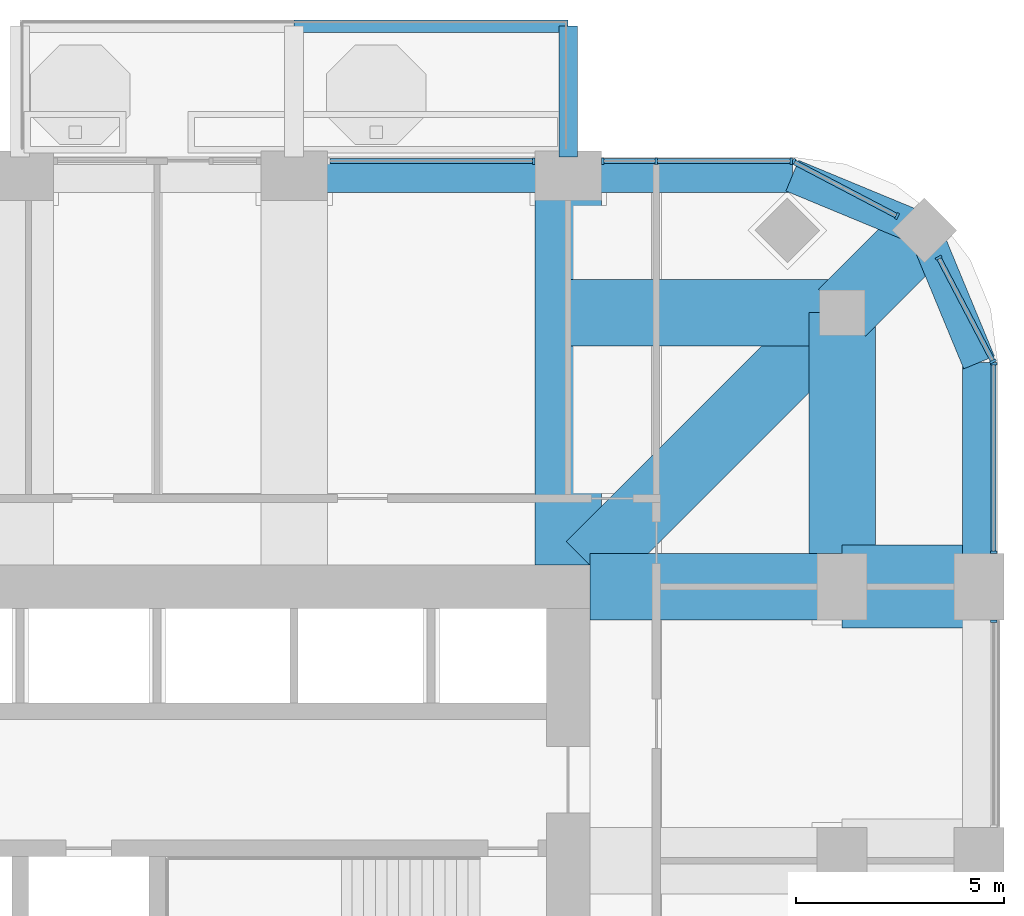
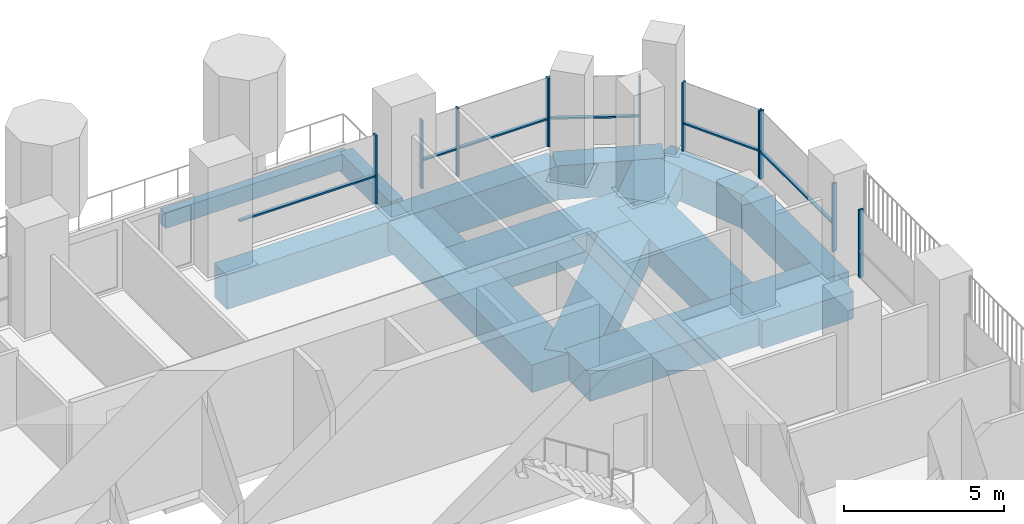
# One storey, part 7 of 20: 17 members, 14 beams, 6 elements without a shape of their own.
"""IFC4 building model written with IfcOpenShell, lengths in metres."""

from ifc_helpers import new_model, si_unit, direction, frame, origin, origin_2d, place, context, subcontext, project, spatial, rectangle, extrude, material, material_profile, profile_set, type_object, element, aggregate, save


model = new_model("IFC4")

# Units and contexts
model_context = context("Model", 3, precision=1e-05, world=origin(), true_north=direction((0.0, 1.0)))
body_context = subcontext(model_context, "Body", "Model", "MODEL_VIEW")
ifc_project = project(units=[si_unit("LENGTHUNIT", "METRE"), si_unit("AREAUNIT", "SQUARE_METRE"), si_unit("VOLUMEUNIT", "CUBIC_METRE"), si_unit("PLANEANGLEUNIT", "RADIAN"), si_unit("MASSUNIT", "GRAM", prefix="KILO")], contexts=[model_context])

# Site, building, storey
site_placement = place(None, origin())
site = spatial("IfcSite", under=ifc_project, at=site_placement, CompositionType="ELEMENT")
building_placement = place(site_placement, origin())
building = spatial("IfcBuilding", under=site, at=building_placement, Name="Cobogo Forest Laboratory Tower", CompositionType="ELEMENT")
storey_placement = place(building_placement, frame((0.0, 0.0, 214.5)))
storey = spatial("IfcBuildingStorey", under=building, at=storey_placement, Name="L49", CompositionType="ELEMENT", Elevation=214.5)

# Beams
ifc_material_1 = material(Name="Concrete HA-40 (C40/50)", Category="concrete")
ifc_material_profile_1 = material_profile(ifc_material_1, rectangle(XDim=0.449951171875, YDim=0.75, at=origin_2d()), Name="RC 450x750")
ifc_profile_set_1 = profile_set([ifc_material_profile_1], Name="Concrete HA-40 (C40/50)")
beam_type_1 = type_object("IfcBeamType", Name="Balcony cantilever beam 450x750", PredefinedType="BEAM", material=ifc_profile_set_1)
beam_1_placement = place(storey_placement, frame((39.60009765625, 43.35009765625, -0.625), z_axis=(0.0, 1.0, 0.0), x_axis=(-1.0, 0.0, 0.0)))
element("IfcBeam", 1, at=beam_1_placement, inside=storey, type_object=beam_type_1, Name="CB1 BAL-N1-C3 L49", PredefinedType="BEAM", context=body_context, shape_type="SweptSolid", body=[
    extrude(rectangle(XDim=0.449951171875, YDim=0.75, at=origin_2d()), origin(), (0.0, 0.0, 1.0), 3.14990234375),
])
ifc_material_profile_2 = material_profile(ifc_material_1, rectangle(XDim=0.300048828125, YDim=0.60009765625, at=origin_2d()), Name="RC 300x600")
ifc_profile_set_2 = profile_set([ifc_material_profile_2], Name="Concrete HA-40 (C40/50)")
beam_type_2 = type_object("IfcBeamType", Name="Balcony edge beam 300x600", PredefinedType="BEAM", material=ifc_profile_set_2)
beam_2_placement = place(storey_placement, frame((33.0, 46.5, -0.550048828125), z_axis=(1.0, 0.0, 0.0), x_axis=(0.0, 1.0, 0.0)))
element("IfcBeam", 2, at=beam_2_placement, inside=storey, type_object=beam_type_2, Name="BB1 BAL-N1-T2 L49", PredefinedType="BEAM", context=body_context, shape_type="SweptSolid", body=[
    extrude(rectangle(XDim=0.300048828125, YDim=0.60009765625, at=origin_2d()), origin(), (0.0, 0.0, 1.0), 6.60009765625),
])
ifc_material_2 = material(Name="Concrete HA-50 (C50/60)", Category="concrete")
ifc_material_profile_3 = material_profile(ifc_material_2, rectangle(XDim=2.0, YDim=1.050048828125, at=origin_2d()), Name="RC 2000x1050")
ifc_profile_set_3 = profile_set([ifc_material_profile_3], Name="Concrete HA-50 (C50/60)")
beam_type_3 = type_object("IfcBeamType", Name="End-bay wide beam 2000x1050", PredefinedType="BEAM", material=ifc_profile_set_3)
beam_3_placement = place(storey_placement, frame((49.5, 33.0, -0.824951171875), z_axis=(-1.0, 0.0, 0.0), x_axis=(0.0, -1.0, 0.0)))
element("IfcBeam", 3, at=beam_3_placement, inside=storey, type_object=beam_type_3, Name="RB7 R-F-E-X L49", PredefinedType="BEAM", context=body_context, shape_type="SweptSolid", body=[
    extrude(rectangle(XDim=2.0, YDim=1.050048828125, at=origin_2d()), origin(), (0.0, 0.0, 1.0), 3.300048828125),
])
ifc_material_profile_4 = material_profile(ifc_material_2, rectangle(XDim=1.60009765625, YDim=1.050048828125, at=origin_2d()), Name="RC 1600x1050")
ifc_profile_set_4 = profile_set([ifc_material_profile_4], Name="Concrete HA-50 (C50/60)")
beam_type_4 = type_object("IfcBeamType", Name="Laboratory floor wide beam 1600x1050", PredefinedType="BEAM", material=ifc_profile_set_4)
beam_4_placement = place(storey_placement, frame((39.60009765625, 33.52490234375, -0.824951171875), z_axis=(0.0, 1.0, 0.0), x_axis=(-1.0, 0.0, 0.0)))
element("IfcBeam", 4, at=beam_4_placement, inside=storey, type_object=beam_type_4, Name="RB8 R-7-N L49", PredefinedType="BEAM", context=body_context, shape_type="SweptSolid", body=[
    extrude(rectangle(XDim=1.60009765625, YDim=1.050048828125, at=origin_2d()), origin(), (0.0, 0.0, 1.0), 9.375),
])
beam_5_placement = place(storey_placement, frame((40.125, 33.0, -0.824951171875), z_axis=(1.0, 0.0, 0.0), x_axis=(0.0, 1.0, 0.0)))
element("IfcBeam", 5, at=beam_5_placement, inside=storey, type_object=beam_type_4, Name="RB8 R-F-E L49", PredefinedType="BEAM", context=body_context, shape_type="SweptSolid", body=[
    extrude(rectangle(XDim=1.60009765625, YDim=1.050048828125, at=origin_2d()), origin(), (0.0, 0.0, 1.0), 6.074951171875),
])
beam_6_placement = place(storey_placement, frame((46.199951171875, 39.60009765625, -0.824951171875), z_axis=(0.0, -1.0, 0.0), x_axis=(1.0, 0.0, 0.0)))
element("IfcBeam", 6, at=beam_6_placement, inside=storey, type_object=beam_type_4, Name="RB8 G-NE-XC L49", PredefinedType="BEAM", context=body_context, shape_type="SweptSolid", body=[
    extrude(rectangle(XDim=1.60009765625, YDim=1.050048828125, at=origin_2d()), origin(), (0.0, 0.0, 1.0), 6.60009765625),
])
beam_7_placement = place(storey_placement, frame((46.199951171875, 39.60009765625, -0.824951171875), z_axis=(-1.0, 0.0, 0.0), x_axis=(0.0, -1.0, 0.0)))
element("IfcBeam", 7, at=beam_7_placement, inside=storey, type_object=beam_type_4, Name="RB8 G-NE-YC L49", PredefinedType="BEAM", context=body_context, shape_type="SweptSolid", body=[
    extrude(rectangle(XDim=1.60009765625, YDim=1.050048828125, at=origin_2d()), origin(), (0.0, 0.0, 1.0), 6.599853515625),
])
beam_8_placement = place(storey_placement, frame((48.181884765625, 41.58203125, -0.824951171875), z_axis=(-0.707106781187, -0.707106781187, 0.0), x_axis=(0.707106781187, -0.707106781187, 0.0)))
element("IfcBeam", 8, at=beam_8_placement, inside=storey, type_object=beam_type_4, Name="RB8 G-NE-D1 L49", PredefinedType="BEAM", context=body_context, shape_type="SweptSolid", body=[
    extrude(rectangle(XDim=1.60009765625, YDim=1.050048828125, at=origin_2d()), origin(), (0.0, 0.0, 1.0), 2.802978515625),
])
beam_9_placement = place(storey_placement, frame((46.199951171875, 39.60009765625, -0.824951171875), z_axis=(-0.707092572697, -0.70712098939, 0.0), x_axis=(0.70712098939, -0.707092572697, 0.0)))
element("IfcBeam", 9, at=beam_9_placement, inside=storey, type_object=beam_type_4, Name="RB8 G-NE-D2 L49", PredefinedType="BEAM", context=body_context, shape_type="SweptSolid", body=[
    extrude(rectangle(XDim=1.60009765625, YDim=1.050048828125, at=origin_2d()), origin(), (0.0, 0.0, 1.0), 8.591552734375),
])

# Curtain wall, member
ifc_material_3 = material(Name="Aluminium curtain wall", Category="aluminium")
curtain_wall_type = type_object("IfcCurtainWallType", Name="CW-2 unitised curtain wall, solar control glazing, laboratory floors zones C and D", PredefinedType="USERDEFINED", material=ifc_material_3)
curtain_wall_1_placement = place(storey_placement, origin())
curtain_wall_1 = element("IfcCurtainWall", 10, at=curtain_wall_1_placement, inside=storey, type_object=curtain_wall_type, Name="Curtain wall 12 L49", ObjectType="UNITISED CURTAIN WALL", PredefinedType="USERDEFINED")
ifc_material_4 = material(Name="Aluminium mullion", Category="aluminium")
ifc_material_profile_5 = material_profile(ifc_material_4, rectangle(XDim=0.06005859375, YDim=0.159912109375, at=origin_2d()), Name="AL 60x160")
ifc_profile_set_5 = profile_set([ifc_material_profile_5], Name="Aluminium mullion")
member_type_1 = type_object("IfcMemberType", Name="MU-1 aluminium mullion 60x160", PredefinedType="MULLION", material=ifc_profile_set_5)
member_1_placement = place(storey_placement, frame((49.85009765625, 32.169921875, 0.0), z_axis=(0.0, 0.0, 1.0), x_axis=(0.0, 1.0, 0.0)))
member_1 = element("IfcMember", 11, at=member_1_placement, type_object=member_type_1, Name="CW-2 mullion 2", PredefinedType="MULLION", context=body_context, shape_type="SweptSolid", body=[
    extrude(rectangle(XDim=0.06005859375, YDim=0.159912109375, at=origin_2d()), origin(), (0.0, 0.0, 1.0), 2.60009765625),
])
aggregate(curtain_wall_1, [member_1])

# Curtain wall, members
curtain_wall_2_placement = place(storey_placement, origin())
curtain_wall_2 = element("IfcCurtainWall", 12, at=curtain_wall_2_placement, inside=storey, type_object=curtain_wall_type, Name="Curtain wall 13 L49", ObjectType="UNITISED CURTAIN WALL", PredefinedType="USERDEFINED")
member_2_placement = place(storey_placement, frame((49.85009765625, 33.830078125, 0.0), z_axis=(0.0, 0.0, 1.0), x_axis=(0.0, 1.0, 0.0)))
member_2 = element("IfcMember", 13, at=member_2_placement, type_object=member_type_1, Name="CW-2 mullion 1", PredefinedType="MULLION", context=body_context, shape_type="SweptSolid", body=[
    extrude(rectangle(XDim=0.06005859375, YDim=0.159912109375, at=origin_2d()), origin(), (0.0, 0.0, 1.0), 2.60009765625),
])
member_3_placement = place(storey_placement, frame((49.85009765625, 38.3701171875, 0.0), z_axis=(0.0, 0.0, 1.0), x_axis=(0.0, 1.0, 0.0)))
member_3 = element("IfcMember", 14, at=member_3_placement, type_object=member_type_1, Name="CW-2 mullion 2", PredefinedType="MULLION", context=body_context, shape_type="SweptSolid", body=[
    extrude(rectangle(XDim=0.06005859375, YDim=0.159912109375, at=origin_2d()), origin(), (0.0, 0.0, 1.0), 2.60009765625),
])

curtain_wall_3_placement = place(storey_placement, origin())
curtain_wall_3 = element("IfcCurtainWall", 15, at=curtain_wall_3_placement, inside=storey, type_object=curtain_wall_type, Name="Curtain wall 14 L49", ObjectType="UNITISED CURTAIN WALL", PredefinedType="USERDEFINED")
member_4_placement = place(storey_placement, frame((49.836181640625, 38.426513671875, 0.0), z_axis=(0.0, 0.0, 1.0), x_axis=(-0.464283804832, 0.885686484356, 0.0)))
member_4 = element("IfcMember", 16, at=member_4_placement, type_object=member_type_1, Name="CW-2 mullion 1", PredefinedType="MULLION", context=body_context, shape_type="SweptSolid", body=[
    extrude(rectangle(XDim=0.06005859375, YDim=0.159912109375, at=origin_2d()), origin(), (0.0, 0.0, 1.0), 2.60009765625),
])
member_5_placement = place(storey_placement, frame((48.526611328125, 40.924560546875, 0.0), z_axis=(0.0, 0.0, 1.0), x_axis=(-0.464283804832, 0.885686484356, 0.0)))
member_5 = element("IfcMember", 17, at=member_5_placement, type_object=member_type_1, Name="CW-2 mullion 2", PredefinedType="MULLION", context=body_context, shape_type="SweptSolid", body=[
    extrude(rectangle(XDim=0.06005859375, YDim=0.159912109375, at=origin_2d()), origin(), (0.0, 0.0, 1.0), 2.60009765625),
])

curtain_wall_4_placement = place(storey_placement, origin())
curtain_wall_4 = element("IfcCurtainWall", 18, at=curtain_wall_4_placement, inside=storey, type_object=curtain_wall_type, Name="Curtain wall 15 L49", ObjectType="UNITISED CURTAIN WALL", PredefinedType="USERDEFINED")
member_6_placement = place(storey_placement, frame((47.5244140625, 41.9267578125, 0.0), z_axis=(0.0, 0.0, 1.0), x_axis=(-0.885686484356, 0.464283804832, 0.0)))
member_6 = element("IfcMember", 19, at=member_6_placement, type_object=member_type_1, Name="CW-2 mullion 1", PredefinedType="MULLION", context=body_context, shape_type="SweptSolid", body=[
    extrude(rectangle(XDim=0.06005859375, YDim=0.159912109375, at=origin_2d()), origin(), (0.0, 0.0, 1.0), 2.60009765625),
])
member_7_placement = place(storey_placement, frame((45.026611328125, 43.236083984375, 0.0), z_axis=(0.0, 0.0, 1.0), x_axis=(-0.885686484356, 0.464283804832, 0.0)))
member_7 = element("IfcMember", 20, at=member_7_placement, type_object=member_type_1, Name="CW-2 mullion 2", PredefinedType="MULLION", context=body_context, shape_type="SweptSolid", body=[
    extrude(rectangle(XDim=0.06005859375, YDim=0.159912109375, at=origin_2d()), origin(), (0.0, 0.0, 1.0), 2.60009765625),
])

curtain_wall_5_placement = place(storey_placement, origin())
curtain_wall_5 = element("IfcCurtainWall", 21, at=curtain_wall_5_placement, inside=storey, type_object=curtain_wall_type, Name="Curtain wall 16 L49", ObjectType="UNITISED CURTAIN WALL", PredefinedType="USERDEFINED")
member_8_placement = place(storey_placement, frame((44.969970703125, 43.25, 0.0), z_axis=(0.0, 0.0, 1.0), x_axis=(-1.0, 0.0, 0.0)))
member_8 = element("IfcMember", 22, at=member_8_placement, type_object=member_type_1, Name="CW-2 mullion 1", PredefinedType="MULLION", context=body_context, shape_type="SweptSolid", body=[
    extrude(rectangle(XDim=0.06005859375, YDim=0.159912109375, at=origin_2d()), origin(), (0.0, 0.0, 1.0), 2.60009765625),
])
member_9_placement = place(storey_placement, frame((41.72509765625, 43.25, 0.0), z_axis=(0.0, 0.0, 1.0), x_axis=(-1.0, 0.0, 0.0)))
member_9 = element("IfcMember", 23, at=member_9_placement, type_object=member_type_1, Name="CW-2 mullion 2", PredefinedType="MULLION", context=body_context, shape_type="SweptSolid", body=[
    extrude(rectangle(XDim=0.06005859375, YDim=0.159912109375, at=origin_2d()), origin(), (0.0, 0.0, 1.0), 2.60009765625),
])
member_10_placement = place(storey_placement, frame((40.429931640625, 43.25, 0.0), z_axis=(0.0, 0.0, 1.0), x_axis=(-1.0, 0.0, 0.0)))
member_10 = element("IfcMember", 24, at=member_10_placement, type_object=member_type_1, Name="CW-2 mullion 3", PredefinedType="MULLION", context=body_context, shape_type="SweptSolid", body=[
    extrude(rectangle(XDim=0.06005859375, YDim=0.159912109375, at=origin_2d()), origin(), (0.0, 0.0, 1.0), 2.60009765625),
])

# Curtain wall, member
curtain_wall_6_placement = place(storey_placement, origin())
curtain_wall_6 = element("IfcCurtainWall", 25, at=curtain_wall_6_placement, inside=storey, type_object=curtain_wall_type, Name="Curtain wall 17 L49", ObjectType="UNITISED CURTAIN WALL", PredefinedType="USERDEFINED")
member_11_placement = place(storey_placement, frame((38.77001953125, 43.25, 0.0), z_axis=(0.0, 0.0, 1.0), x_axis=(-1.0, 0.0, 0.0)))
member_11 = element("IfcMember", 26, at=member_11_placement, type_object=member_type_1, Name="CW-2 mullion 1", PredefinedType="MULLION", context=body_context, shape_type="SweptSolid", body=[
    extrude(rectangle(XDim=0.06005859375, YDim=0.159912109375, at=origin_2d()), origin(), (0.0, 0.0, 1.0), 2.60009765625),
])

# Beams
ifc_material_profile_6 = material_profile(ifc_material_1, rectangle(XDim=0.800048828125, YDim=1.300048828125, at=origin_2d()), Name="RC 800x1300")
ifc_profile_set_6 = profile_set([ifc_material_profile_6], Name="Concrete HA-40 (C40/50)")
beam_type_5 = type_object("IfcBeamType", Name="Perimeter edge beam 800x1300", PredefinedType="BEAM", material=ifc_profile_set_6)
beam_10_placement = place(storey_placement, frame((33.0, 42.89990234375, -0.949951171875), z_axis=(1.0, 0.0, 0.0), x_axis=(0.0, 1.0, 0.0)))
element("IfcBeam", 27, at=beam_10_placement, inside=storey, type_object=beam_type_5, Name="EB2 E-N4 L49", PredefinedType="BEAM", context=body_context, shape_type="SweptSolid", body=[
    extrude(rectangle(XDim=0.800048828125, YDim=1.300048828125, at=origin_2d()), origin(), (0.0, 0.0, 1.0), 6.60009765625),
])
beam_11_placement = place(storey_placement, frame((49.5, 33.0, -0.949951171875), z_axis=(0.0, 1.0, 0.0), x_axis=(-1.0, 0.0, 0.0)))
element("IfcBeam", 28, at=beam_11_placement, inside=storey, type_object=beam_type_5, Name="EB2 E-NEE1 L49", PredefinedType="BEAM", context=body_context, shape_type="SweptSolid", body=[
    extrude(rectangle(XDim=0.800048828125, YDim=1.300048828125, at=origin_2d()), origin(), (0.0, 0.0, 1.0), 5.39990234375),
])
beam_12_placement = place(storey_placement, frame((49.5, 38.39990234375, -0.949951171875), z_axis=(-0.382691928466, 0.923876013265, 0.0), x_axis=(-0.923876013265, -0.382691928466, 0.0)))
element("IfcBeam", 29, at=beam_12_placement, inside=storey, type_object=beam_type_5, Name="EB2 E-NEE2 L49", PredefinedType="BEAM", context=body_context, shape_type="SweptSolid", body=[
    extrude(rectangle(XDim=0.800048828125, YDim=1.300048828125, at=origin_2d()), origin(), (0.0, 0.0, 1.0), 3.4443359375),
])
beam_13_placement = place(storey_placement, frame((39.60009765625, 42.89990234375, -0.949951171875), z_axis=(1.0, 0.0, 0.0), x_axis=(0.0, 1.0, 0.0)))
element("IfcBeam", 30, at=beam_13_placement, inside=storey, type_object=beam_type_5, Name="EB2 E-NEN1 L49", PredefinedType="BEAM", context=body_context, shape_type="SweptSolid", body=[
    extrude(rectangle(XDim=0.800048828125, YDim=1.300048828125, at=origin_2d()), origin(), (0.0, 0.0, 1.0), 5.39990234375),
])
beam_14_placement = place(storey_placement, frame((45.0, 42.89990234375, -0.949951171875), z_axis=(0.923890694089, -0.382656484822, 0.0), x_axis=(0.382656484822, 0.923890694089, 0.0)))
element("IfcBeam", 31, at=beam_14_placement, inside=storey, type_object=beam_type_5, Name="EB2 E-NEN2 L49", PredefinedType="BEAM", context=body_context, shape_type="SweptSolid", body=[
    extrude(rectangle(XDim=0.800048828125, YDim=1.300048828125, at=origin_2d()), origin(), (0.0, 0.0, 1.0), 3.444091796875),
])

# Member
ifc_material_5 = material(Name="Aluminium transom", Category="aluminium")
ifc_material_profile_7 = material_profile(ifc_material_5, rectangle(XDim=0.1201171875, YDim=0.06005859375, at=origin_2d()), Name="AL 60x120")
ifc_profile_set_7 = profile_set([ifc_material_profile_7], Name="Aluminium transom")
member_type_2 = type_object("IfcMemberType", Name="TR-1 aluminium transom 60x120", PredefinedType="USERDEFINED", material=ifc_profile_set_7)
member_12_placement = place(storey_placement, frame((49.85009765625, 33.860107421875, 1.050048828125), z_axis=(0.0, 1.0, 0.0), x_axis=(-1.0, 0.0, 0.0)))
member_12 = element("IfcMember", 32, at=member_12_placement, type_object=member_type_2, Name="CW-2 transom 1.1", ObjectType="TRANSOM", PredefinedType="USERDEFINED", context=body_context, shape_type="SweptSolid", body=[
    extrude(rectangle(XDim=0.1201171875, YDim=0.06005859375, at=origin_2d()), origin(), (0.0, 0.0, 1.0), 4.47998046875),
])

aggregate(curtain_wall_2, [member_2, member_3, member_12])

member_13_placement = place(storey_placement, frame((49.822021484375, 38.453125, 1.050048828125), z_axis=(-0.464254846591, 0.88570166389, 0.0), x_axis=(-0.88570166389, -0.464254846591, 0.0)))
member_13 = element("IfcMember", 33, at=member_13_placement, type_object=member_type_2, Name="CW-2 transom 1.1", ObjectType="TRANSOM", PredefinedType="USERDEFINED", context=body_context, shape_type="SweptSolid", body=[
    extrude(rectangle(XDim=0.1201171875, YDim=0.06005859375, at=origin_2d()), origin(), (0.0, 0.0, 1.0), 2.76025390625),
])

aggregate(curtain_wall_3, [member_4, member_5, member_13])

member_14_placement = place(storey_placement, frame((47.497802734375, 41.940673828125, 1.050048828125), z_axis=(-0.885682598583, 0.464291217414, 0.0), x_axis=(-0.464291217414, -0.885682598583, 0.0)))
member_14 = element("IfcMember", 34, at=member_14_placement, type_object=member_type_2, Name="CW-2 transom 1.1", ObjectType="TRANSOM", PredefinedType="USERDEFINED", context=body_context, shape_type="SweptSolid", body=[
    extrude(rectangle(XDim=0.1201171875, YDim=0.06005859375, at=origin_2d()), origin(), (0.0, 0.0, 1.0), 2.760009765625),
])

aggregate(curtain_wall_4, [member_6, member_7, member_14])

member_15_placement = place(storey_placement, frame((44.93994140625, 43.25, 1.050048828125), z_axis=(-1.0, 0.0, 0.0), x_axis=(0.0, -1.0, 0.0)))
member_15 = element("IfcMember", 35, at=member_15_placement, type_object=member_type_2, Name="CW-2 transom 1.1", ObjectType="TRANSOM", PredefinedType="USERDEFINED", context=body_context, shape_type="SweptSolid", body=[
    extrude(rectangle(XDim=0.1201171875, YDim=0.06005859375, at=origin_2d()), origin(), (0.0, 0.0, 1.0), 3.18505859375),
])

member_16_placement = place(storey_placement, frame((41.695068359375, 43.25, 1.050048828125), z_axis=(-1.0, 0.0, 0.0), x_axis=(0.0, -1.0, 0.0)))
member_16 = element("IfcMember", 36, at=member_16_placement, type_object=member_type_2, Name="CW-2 transom 2.1", ObjectType="TRANSOM", PredefinedType="USERDEFINED", context=body_context, shape_type="SweptSolid", body=[
    extrude(rectangle(XDim=0.1201171875, YDim=0.06005859375, at=origin_2d()), origin(), (0.0, 0.0, 1.0), 1.235107421875),
])

aggregate(curtain_wall_5, [member_8, member_9, member_10, member_15, member_16])

member_17_placement = place(storey_placement, frame((38.739990234375, 43.25, 1.050048828125), z_axis=(-1.0, 0.0, 0.0), x_axis=(0.0, -1.0, 0.0)))
member_17 = element("IfcMember", 37, at=member_17_placement, type_object=member_type_2, Name="CW-2 transom 1.1", ObjectType="TRANSOM", PredefinedType="USERDEFINED", context=body_context, shape_type="SweptSolid", body=[
    extrude(rectangle(XDim=0.1201171875, YDim=0.06005859375, at=origin_2d()), origin(), (0.0, 0.0, 1.0), 4.8798828125),
])

aggregate(curtain_wall_6, [member_11, member_17])

save(model, "model.ifc")
